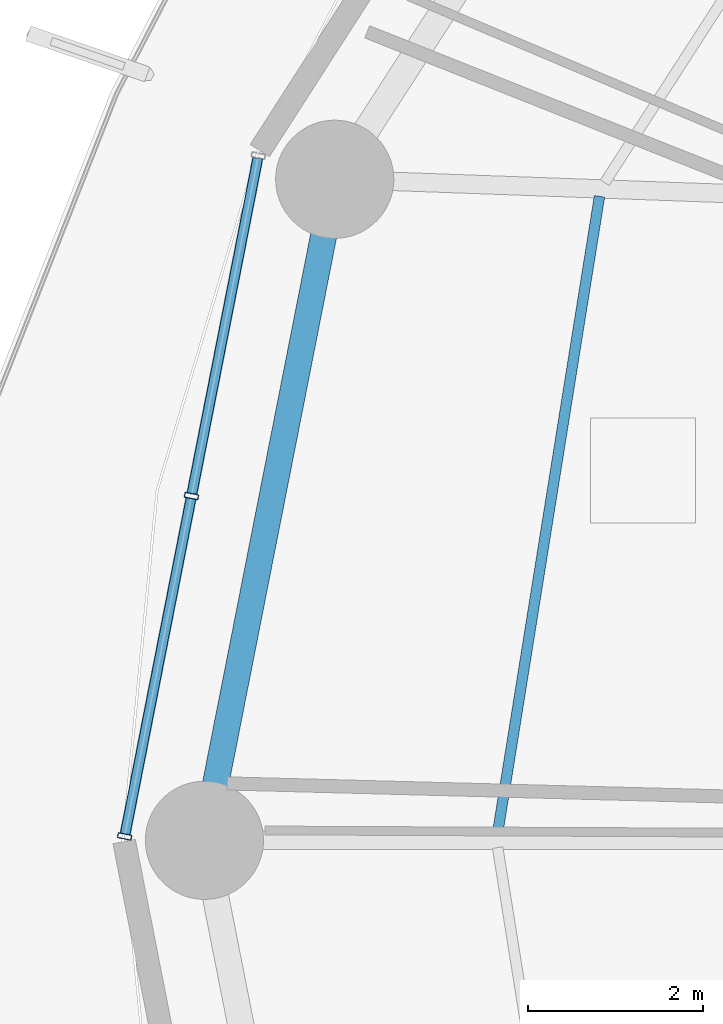
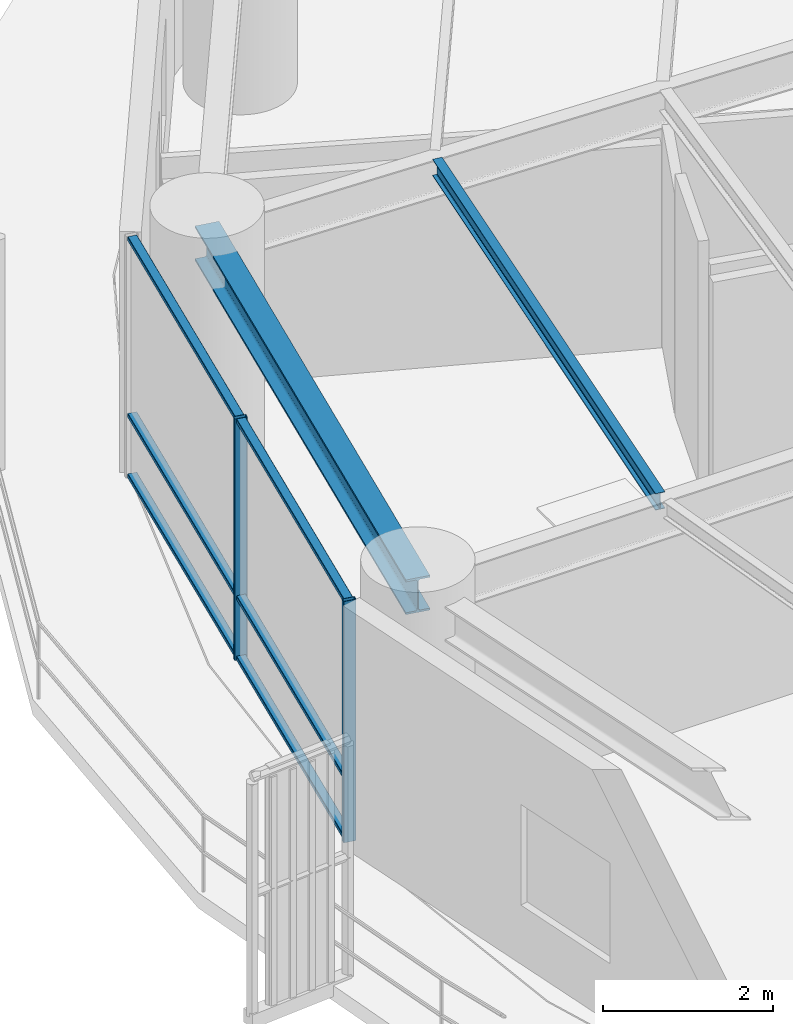
# One storey, part 6 of 33: 8 members, 2 beams, 1 element without a shape of its own.
"""IFC4 building model written with IfcOpenShell, lengths in metres."""

import ifcopenshell
import ifcopenshell.guid

model = None  # the IFC model being written
_history = None  # IfcOwnerHistory: only IFC2X3 demands one
_inside = {}  # id of a spatial element -> (the spatial element, [elements in it])
_under = {}  # id of a project, library or spatial element -> (it, [spatial elements below it])
_declared = {}  # id of a project -> (the project, [libraries it declares])
_typed = {}  # id of a type object -> (the type object, [elements of that type])
_made_of = {}  # id of a material, layer set ... -> (it, [elements and type objects made of it])


def new_model(schema):
    """Start an empty IFC model of exactly this schema.

    Asked for "IFC4X3", IfcOpenShell would pick the latest addendum, in which some entities
    have other attributes; the version numbers below select the first issue.
    IFC2X3 requires an IfcOwnerHistory on every rooted entity: one is made here for all.
    """
    global model, _history
    if schema == "IFC4X3":
        model = ifcopenshell.file(schema_version=(4, 3, 0, 0))
    else:
        model = ifcopenshell.file(schema=schema)
    _inside.clear()
    _under.clear()
    _declared.clear()
    _typed.clear()
    _made_of.clear()
    _history = None
    if model.schema == "IFC2X3":
        org = make("IfcOrganization", Name="unknown")
        user = make(
            "IfcPersonAndOrganization",
            ThePerson=make("IfcPerson", FamilyName="unknown"),
            TheOrganization=org,
        )
        app = make(
            "IfcApplication",
            ApplicationDeveloper=org,
            Version="unknown",
            ApplicationFullName="unknown",
            ApplicationIdentifier="unknown",
        )
        _history = make(
            "IfcOwnerHistory",
            OwningUser=user,
            OwningApplication=app,
            ChangeAction="ADDED",
            CreationDate=0,
        )
    return model


def make(cls, **values):
    """One entity of the class cls with the attributes given. An attribute that is None is left unset."""
    return model.create_entity(
        cls, **{name: value for name, value in values.items() if value is not None}
    )


def rooted(cls, **values):
    """An entity with a GlobalId (a new one), such as an element, a storey or a relation."""
    return make(cls, GlobalId=ifcopenshell.guid.new(), OwnerHistory=_history, **values)


def si_unit(unit_type, name, prefix=None):
    """IfcSIUnit, for example si_unit("LENGTHUNIT", "METRE", prefix="MILLI")."""
    return make("IfcSIUnit", UnitType=unit_type, Prefix=prefix, Name=name)


def assignment(units):
    """IfcUnitAssignment: the units of a project."""
    return None if units is None else make("IfcUnitAssignment", Units=units)


def point(xyz):
    """IfcCartesianPoint."""
    return None if xyz is None else make("IfcCartesianPoint", Coordinates=xyz)


def direction(xyz):
    """IfcDirection."""
    return None if xyz is None else make("IfcDirection", DirectionRatios=xyz)


def frame(location, z_axis=None, x_axis=None):
    """IfcAxis2Placement3D, a coordinate frame: its origin and axes. An axis left out is left unset."""
    return make(
        "IfcAxis2Placement3D",
        Location=point(location),
        Axis=direction(z_axis),
        RefDirection=direction(x_axis),
    )


def frame_2d(location, x_axis=None):
    """IfcAxis2Placement2D, a coordinate frame in the plane: its origin and x axis."""
    return make(
        "IfcAxis2Placement2D", Location=point(location), RefDirection=direction(x_axis)
    )


def origin():
    """The frame at (0, 0, 0) with its axes left unset."""
    return frame((0.0, 0.0, 0.0))


def origin_2d():
    """The frame at (0, 0) in the plane with its x axis left unset."""
    return frame_2d((0.0, 0.0))


def place(relative_to, where):
    """IfcLocalPlacement: puts the frame where relative to a parent placement (None: the world)."""
    return make(
        "IfcLocalPlacement", PlacementRelTo=relative_to, RelativePlacement=where
    )


def context(
    kind, dimensions, precision=None, world=None, true_north=None, identifier=None
):
    """IfcGeometricRepresentationContext, for example the 3D "Model" context."""
    return make(
        "IfcGeometricRepresentationContext",
        ContextIdentifier=identifier,
        ContextType=kind,
        CoordinateSpaceDimension=dimensions,
        Precision=precision,
        WorldCoordinateSystem=world,
        TrueNorth=true_north,
    )


def subcontext(parent, identifier, kind, view, scale=None):
    """IfcGeometricRepresentationSubContext, for example "Body" below "Model"."""
    return make(
        "IfcGeometricRepresentationSubContext",
        ContextIdentifier=identifier,
        ContextType=kind,
        ParentContext=parent,
        TargetScale=scale,
        TargetView=view,
    )


def project(units=None, contexts=None):
    """IfcProject with its units and contexts."""
    return rooted(
        "IfcProject",
        Name="project",
        RepresentationContexts=contexts,
        UnitsInContext=assignment(units),
    )


def spatial(cls, under=None, at=None, **own):
    """A site, building, storey or space (cls), placed at a placement, below another one or the project."""
    s = rooted(cls, ObjectPlacement=at, **own)
    if under is not None:
        _under.setdefault(under.id(), (under, []))[1].append(s)
    return s


def profile(cls, at=None, kind="AREA", **sizes):
    """A parametric profile (cls). Its sizes go by their IFC names, for example OverallWidth=200.0."""
    return make(cls, ProfileType=kind, Position=at, **sizes)


def hollow_rectangle(**sizes):
    """IfcRectangleHollowProfileDef."""
    return profile("IfcRectangleHollowProfileDef", **sizes)


def i_section(**sizes):
    """IfcIShapeProfileDef."""
    return profile("IfcIShapeProfileDef", **sizes)


def extrude(swept, where, along, depth):
    """IfcExtrudedAreaSolid: the profile swept, set in the frame where, extruded along a direction by depth."""
    return make(
        "IfcExtrudedAreaSolid",
        SweptArea=swept,
        Position=where,
        ExtrudedDirection=direction(along),
        Depth=depth,
    )


def shape(context_of_items, identifier, shape_type, items):
    """IfcShapeRepresentation: the items that make up one representation, for example the "Body"."""
    return make(
        "IfcShapeRepresentation",
        ContextOfItems=context_of_items,
        RepresentationIdentifier=identifier,
        RepresentationType=shape_type,
        Items=items,
    )


def material(Name=None, Category=None):
    """IfcMaterial."""
    return make("IfcMaterial", Name=Name, Category=Category)


def layer(
    of_material, thickness, ventilated=None, Name=None, Category=None, Priority=None
):
    """IfcMaterialLayer: one layer of a wall or slab, of a material (None: an air gap)."""
    return make(
        "IfcMaterialLayer",
        Material=of_material,
        LayerThickness=thickness,
        IsVentilated=ventilated,
        Name=Name,
        Category=Category,
        Priority=Priority,
    )


def layer_set(layers, Name=None):
    """IfcMaterialLayerSet."""
    return make("IfcMaterialLayerSet", MaterialLayers=layers, LayerSetName=Name)


def material_profile(
    of_material, cross_section, Name=None, Category=None, Priority=None
):
    """IfcMaterialProfile: a cross section and its material."""
    return make(
        "IfcMaterialProfile",
        Name=Name,
        Material=of_material,
        Profile=cross_section,
        Priority=Priority,
        Category=Category,
    )


def profile_set(profiles, Name=None, composite=None):
    """IfcMaterialProfileSet."""
    return make(
        "IfcMaterialProfileSet",
        Name=Name,
        MaterialProfiles=profiles,
        CompositeProfile=composite,
    )


def made_of(thing, what):
    """Note that an element or type object is made of a material, layer set ...; save() writes the relation."""
    if what is not None:
        _made_of.setdefault(what.id(), (what, []))[1].append(thing)
    return thing


def type_object(cls, material=None, **own):
    """A type object (cls), such as IfcWallType, which elements share."""
    return made_of(rooted(cls, **own), material)


def element(
    cls,
    number,
    at=None,
    inside=None,
    cuts=None,
    type_object=None,
    material=None,
    context=None,
    identifier="Body",
    shape_type=None,
    held_by="IfcProductDefinitionShape",
    body=None,
    shapes=None,
    **own,
):
    """One element of the class cls, such as IfcWall. Its Tag is "e" and its number.

    at: its placement. inside: the storey or other place that contains it. cuts: it is an
    opening in that element (IfcRelVoidsElement). A single representation is given by context,
    identifier, shape_type and body (its items); several are given by shapes. held_by: the class
    of the entity that holds the representations. save() writes the other relations.
    """
    e = rooted(cls, Tag="e%d" % number, ObjectPlacement=at, **own)
    if body is not None:
        shapes = [shape(context, identifier, shape_type, body)]
    if shapes is not None:
        e.Representation = make(held_by, Representations=shapes)
    if inside is not None:
        _inside.setdefault(inside.id(), (inside, []))[1].append(e)
    if cuts is not None:
        rooted(
            "IfcRelVoidsElement", RelatingBuildingElement=cuts, RelatedOpeningElement=e
        )
    if type_object is not None:
        _typed.setdefault(type_object.id(), (type_object, []))[1].append(e)
    return made_of(e, material)


def aggregate(whole, parts):
    """IfcRelAggregates: a whole, such as a stair, and the parts it consists of."""
    return rooted("IfcRelAggregates", RelatingObject=whole, RelatedObjects=parts)


def save(model, path):
    """Write the relations noted so far, then the file.

    IfcRelAggregates (storeys below a building ...), IfcRelContainedInSpatialStructure (elements
    in a storey), IfcRelDefinesByType, IfcRelAssociatesMaterial and IfcRelDeclares: one each for
    every whole, place, type object, material and project.
    """
    for whole, parts in _under.values():
        aggregate(whole, parts)
    for where, things in _inside.values():
        rooted(
            "IfcRelContainedInSpatialStructure",
            RelatedElements=things,
            RelatingStructure=where,
        )
    for kind, things in _typed.values():
        rooted("IfcRelDefinesByType", RelatedObjects=things, RelatingType=kind)
    for what, things in _made_of.values():
        rooted("IfcRelAssociatesMaterial", RelatedObjects=things, RelatingMaterial=what)
    for by, libraries in _declared.values():
        rooted("IfcRelDeclares", RelatingContext=by, RelatedDefinitions=libraries)
    model.write(path)


model = new_model("IFC4")

# Units and contexts
model_context = context("Model", 3, precision=1e-05, world=origin(), true_north=direction((0.0, 1.0)))
body_context = subcontext(model_context, "Body", "Model", "MODEL_VIEW")
ifc_project = project(units=[si_unit("LENGTHUNIT", "METRE"), si_unit("AREAUNIT", "SQUARE_METRE"), si_unit("VOLUMEUNIT", "CUBIC_METRE"), si_unit("PLANEANGLEUNIT", "RADIAN"), si_unit("MASSUNIT", "GRAM", prefix="KILO")], contexts=[model_context])

# Site, building, storey
site_placement = place(None, origin())
site = spatial("IfcSite", under=ifc_project, at=site_placement, CompositionType="ELEMENT")
building_placement = place(site_placement, origin())
building = spatial("IfcBuilding", under=site, at=building_placement, Name="Kelanora Arch Commons", CompositionType="ELEMENT")
storey_placement = place(building_placement, frame((0.0, 0.0, 80.10009765625)))
storey = spatial("IfcBuildingStorey", under=building, at=storey_placement, Name="L20", CompositionType="ELEMENT", Elevation=80.10009765625)

# Beams
ifc_material_1 = material(Name="Steel S355", Category="steel")
ifc_material_profile_1 = material_profile(ifc_material_1, i_section(OverallWidth=0.1201171875, OverallDepth=0.239990234375, WebThickness=0.006103515625, FlangeThickness=0.009765625, FilletRadius=0.014892578125, at=origin_2d()), Name="IPE240")
ifc_profile_set_1 = profile_set([ifc_material_profile_1], Name="Steel S355")
beam_type_1 = type_object("IfcBeamType", Name="BM-JST-02", PredefinedType="JOIST", material=ifc_profile_set_1)
beam_1_placement = place(storey_placement, frame((53.833251953125, 65.357421875, 3.369873046875), z_axis=(-0.157999549894, -0.987439184068, 0.0), x_axis=(0.987439184068, -0.157999549894, 0.0)))
element("IfcBeam", 1, at=beam_1_placement, inside=storey, type_object=beam_type_1, Name="Secondary Chord Joist BJC-16 L20", PredefinedType="JOIST", context=body_context, shape_type="SweptSolid", body=[
    extrude(i_section(OverallWidth=0.1201171875, OverallDepth=0.239990234375, WebThickness=0.006103515625, FlangeThickness=0.009765625, FilletRadius=0.014892578125, at=origin_2d()), origin(), (0.0, 0.0, 1.0), 7.365966796875),
])
ifc_material_profile_2 = material_profile(ifc_material_1, i_section(OverallWidth=0.300048828125, OverallDepth=0.5, WebThickness=0.014404296875, FlangeThickness=0.028076171875, FilletRadius=0.027099609375, at=origin_2d()), Name="HEB500")
ifc_profile_set_2 = profile_set([ifc_material_profile_2], Name="Steel S355")
beam_type_2 = type_object("IfcBeamType", Name="BM-SPN-Z2", PredefinedType="SPANDREL", material=ifc_profile_set_2)
beam_2_placement = place(storey_placement, frame((50.808349609375, 65.5517578125, 3.239990234375), z_axis=(-0.19335825777, -0.981128220037, 0.0), x_axis=(0.981128220037, -0.19335825777, 0.0)))
element("IfcBeam", 2, at=beam_2_placement, inside=storey, type_object=beam_type_2, Name="Perimeter Spandrel Beam BS-16 L20", PredefinedType="SPANDREL", context=body_context, shape_type="SweptSolid", body=[
    extrude(i_section(OverallWidth=0.300048828125, OverallDepth=0.5, WebThickness=0.014404296875, FlangeThickness=0.028076171875, FilletRadius=0.027099609375, at=origin_2d()), origin(), (0.0, 0.0, 1.0), 7.697021484375),
])

# Curtain wall, members
ifc_material_2 = material(Name="Terracotta ceramic-fritted low-E glass and aluminium", Category="masonry")
ifc_layer = layer(ifc_material_2, 0.159912109375)
ifc_layer_set = layer_set([ifc_layer], Name="Terracotta ceramic-fritted low-E glass and aluminium")
curtain_wall_type = type_object("IfcCurtainWallType", Name="CW-SYS-01", PredefinedType="NOTDEFINED", material=ifc_layer_set)
curtain_wall_placement = place(storey_placement, origin())
curtain_wall = element("IfcCurtainWall", 3, at=curtain_wall_placement, inside=storey, type_object=curtain_wall_type, Name="Unitised Curtain Wall L20-B08", PredefinedType="NOTDEFINED")
ifc_material_3 = material(Name="Powder-coated aluminium terracotta", Category="masonry")
ifc_material_profile_3 = material_profile(ifc_material_3, hollow_rectangle(XDim=0.159912109375, YDim=0.06005859375, WallThickness=0.0048828125, InnerFilletRadius=0.0048828125, OuterFilletRadius=0.010009765625, at=origin_2d()), Name="CWM160x60")
ifc_profile_set_3 = profile_set([ifc_material_profile_3], Name="Powder-coated aluminium terracotta")
member_type_1 = type_object("IfcMemberType", Name="CWM-STD", PredefinedType="MULLION", material=ifc_profile_set_3)
member_1_placement = place(storey_placement, frame((49.171875, 61.933349609375, 0.0), z_axis=(0.0, 0.0, 1.0), x_axis=(0.981280311646, -0.192584916272, 0.0)))
member_1 = element("IfcMember", 4, at=member_1_placement, type_object=member_type_1, Name="CW-01 mullion 2", PredefinedType="MULLION", context=body_context, shape_type="SweptSolid", body=[
    extrude(hollow_rectangle(XDim=0.159912109375, YDim=0.06005859375, WallThickness=0.0048828125, InnerFilletRadius=0.0048828125, OuterFilletRadius=0.010009765625, at=origin_2d()), origin(), (0.0, 0.0, 1.0), 3.474853515625),
])
member_2_placement = place(storey_placement, frame((48.40869140625, 58.044189453125, 0.0), z_axis=(0.0, 0.0, 1.0), x_axis=(0.981280311646, -0.192584916272, 0.0)))
member_2 = element("IfcMember", 5, at=member_2_placement, type_object=member_type_1, Name="CW-01 mullion 3", PredefinedType="MULLION", context=body_context, shape_type="SweptSolid", body=[
    extrude(hollow_rectangle(XDim=0.159912109375, YDim=0.06005859375, WallThickness=0.0048828125, InnerFilletRadius=0.0048828125, OuterFilletRadius=0.010009765625, at=origin_2d()), origin(), (0.0, 0.0, 1.0), 3.474853515625),
])
ifc_material_profile_4 = material_profile(ifc_material_3, hollow_rectangle(XDim=0.1201171875, YDim=0.06005859375, WallThickness=0.0048828125, InnerFilletRadius=0.0048828125, OuterFilletRadius=0.010009765625, at=origin_2d()), Name="CWT120x60")
ifc_profile_set_4 = profile_set([ifc_material_profile_4], Name="Powder-coated aluminium terracotta")
member_type_2 = type_object("IfcMemberType", Name="CWT-STD", PredefinedType="USERDEFINED", material=ifc_profile_set_4)
member_3_placement = place(storey_placement, frame((49.929443359375, 65.79296875, 0.02978515625), z_axis=(-0.192578614785, -0.981281548348, 0.0), x_axis=(0.981281548348, -0.192578614785, 0.0)))
member_3 = element("IfcMember", 6, at=member_3_placement, type_object=member_type_2, Name="CW-01 transom 1.1", ObjectType="TRANSOM", PredefinedType="USERDEFINED", context=body_context, shape_type="SweptSolid", body=[
    extrude(hollow_rectangle(XDim=0.1201171875, YDim=0.06005859375, WallThickness=0.0048828125, InnerFilletRadius=0.0048828125, OuterFilletRadius=0.010009765625, at=origin_2d()), origin(), (0.0, 0.0, 1.0), 3.9033203125),
])
member_4_placement = place(storey_placement, frame((49.929443359375, 65.79296875, 0.89990234375), z_axis=(-0.192578614785, -0.981281548348, 0.0), x_axis=(0.981281548348, -0.192578614785, 0.0)))
member_4 = element("IfcMember", 7, at=member_4_placement, type_object=member_type_2, Name="CW-01 transom 1.2", ObjectType="TRANSOM", PredefinedType="USERDEFINED", context=body_context, shape_type="SweptSolid", body=[
    extrude(hollow_rectangle(XDim=0.1201171875, YDim=0.06005859375, WallThickness=0.0048828125, InnerFilletRadius=0.0048828125, OuterFilletRadius=0.010009765625, at=origin_2d()), origin(), (0.0, 0.0, 1.0), 3.9033203125),
])
member_5_placement = place(storey_placement, frame((49.929443359375, 65.79296875, 3.44482421875), z_axis=(-0.192578614785, -0.981281548348, 0.0), x_axis=(0.981281548348, -0.192578614785, 0.0)))
member_5 = element("IfcMember", 8, at=member_5_placement, type_object=member_type_2, Name="CW-01 transom 1.3", ObjectType="TRANSOM", PredefinedType="USERDEFINED", context=body_context, shape_type="SweptSolid", body=[
    extrude(hollow_rectangle(XDim=0.1201171875, YDim=0.06005859375, WallThickness=0.0048828125, InnerFilletRadius=0.0048828125, OuterFilletRadius=0.010009765625, at=origin_2d()), origin(), (0.0, 0.0, 1.0), 3.9033203125),
])
member_6_placement = place(storey_placement, frame((49.166259765625, 61.90380859375, 0.02978515625), z_axis=(-0.192578614785, -0.981281548348, 0.0), x_axis=(0.981281548348, -0.192578614785, 0.0)))
member_6 = element("IfcMember", 9, at=member_6_placement, type_object=member_type_2, Name="CW-01 transom 2.1", ObjectType="TRANSOM", PredefinedType="USERDEFINED", context=body_context, shape_type="SweptSolid", body=[
    extrude(hollow_rectangle(XDim=0.1201171875, YDim=0.06005859375, WallThickness=0.0048828125, InnerFilletRadius=0.0048828125, OuterFilletRadius=0.010009765625, at=origin_2d()), origin(), (0.0, 0.0, 1.0), 3.9033203125),
])
member_7_placement = place(storey_placement, frame((49.166259765625, 61.90380859375, 0.89990234375), z_axis=(-0.192578614785, -0.981281548348, 0.0), x_axis=(0.981281548348, -0.192578614785, 0.0)))
member_7 = element("IfcMember", 10, at=member_7_placement, type_object=member_type_2, Name="CW-01 transom 2.2", ObjectType="TRANSOM", PredefinedType="USERDEFINED", context=body_context, shape_type="SweptSolid", body=[
    extrude(hollow_rectangle(XDim=0.1201171875, YDim=0.06005859375, WallThickness=0.0048828125, InnerFilletRadius=0.0048828125, OuterFilletRadius=0.010009765625, at=origin_2d()), origin(), (0.0, 0.0, 1.0), 3.9033203125),
])
member_8_placement = place(storey_placement, frame((49.166259765625, 61.90380859375, 3.44482421875), z_axis=(-0.192578614785, -0.981281548348, 0.0), x_axis=(0.981281548348, -0.192578614785, 0.0)))
member_8 = element("IfcMember", 11, at=member_8_placement, type_object=member_type_2, Name="CW-01 transom 2.3", ObjectType="TRANSOM", PredefinedType="USERDEFINED", context=body_context, shape_type="SweptSolid", body=[
    extrude(hollow_rectangle(XDim=0.1201171875, YDim=0.06005859375, WallThickness=0.0048828125, InnerFilletRadius=0.0048828125, OuterFilletRadius=0.010009765625, at=origin_2d()), origin(), (0.0, 0.0, 1.0), 3.9033203125),
])
aggregate(curtain_wall, [member_1, member_2, member_3, member_4, member_5, member_6, member_7, member_8])

save(model, "model.ifc")
